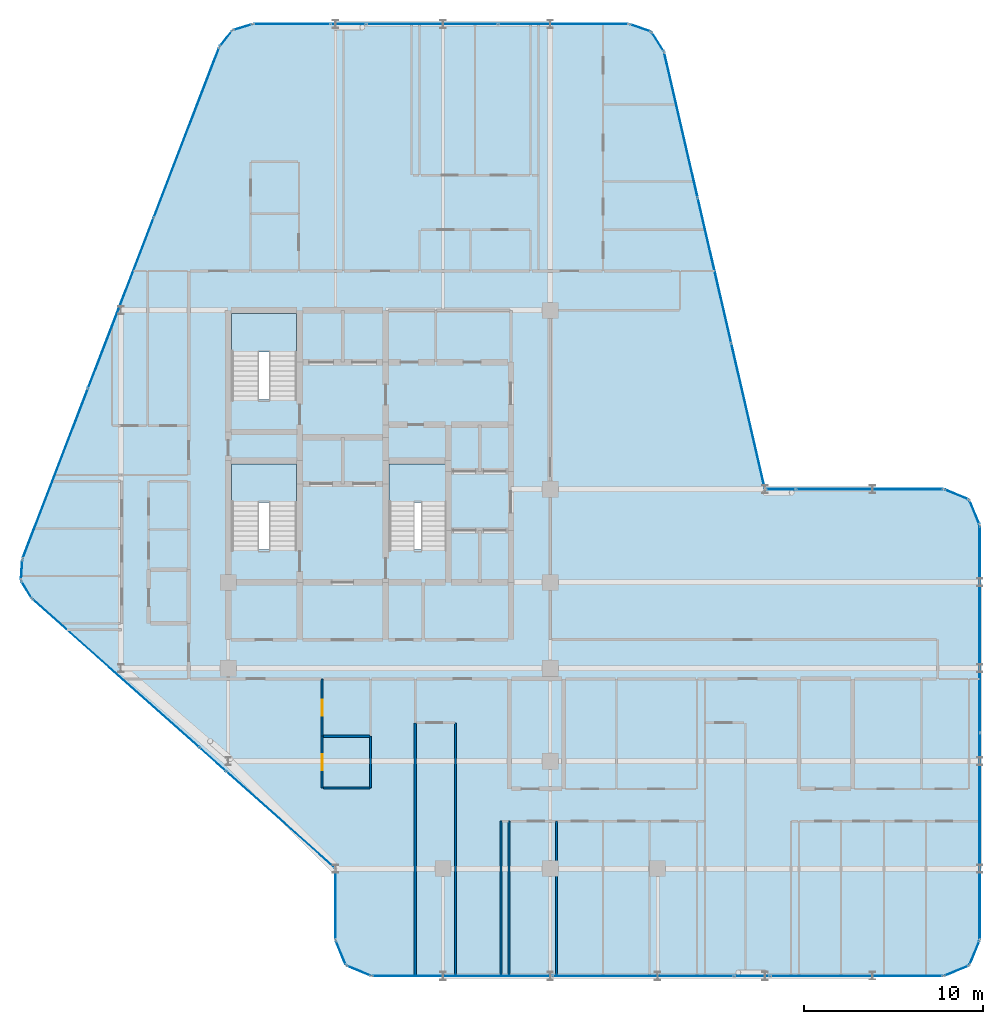
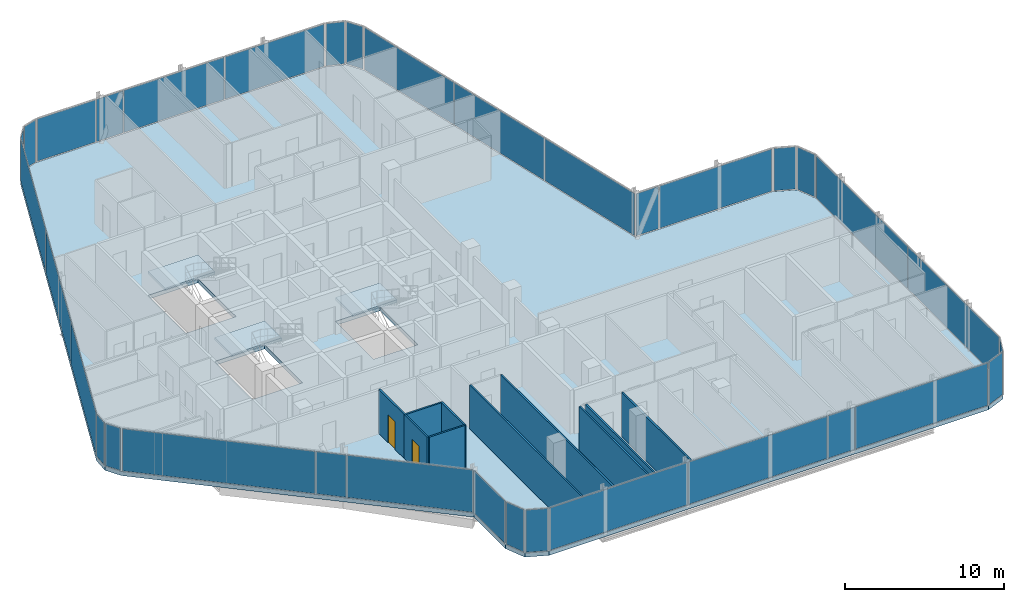
# One storey, part 22 of 29: 34 plates, 10 walls, 4 slabs, 2 doors, 2 openings, 30 elements without a shape of their own.
"""IFC4 building model written with IfcOpenShell, lengths in metres."""

from ifc_helpers import new_model, si_unit, direction, frame, frame_2d, origin, origin_2d, place, context, subcontext, project, spatial, polyline, rectangle, outline, extrude, material, layer, layer_set, type_object, element, fill, aggregate, save


model = new_model("IFC4")

# Units and contexts
model_context = context("Model", 3, precision=1e-05, world=origin(), true_north=direction((0.0, 1.0)))
body_context = subcontext(model_context, "Body", "Model", "MODEL_VIEW")
ifc_project = project(units=[si_unit("LENGTHUNIT", "METRE"), si_unit("AREAUNIT", "SQUARE_METRE"), si_unit("VOLUMEUNIT", "CUBIC_METRE"), si_unit("PLANEANGLEUNIT", "RADIAN"), si_unit("MASSUNIT", "GRAM", prefix="KILO")], contexts=[model_context])

# Site, building, storey
site_placement = place(None, origin())
site = spatial("IfcSite", under=ifc_project, at=site_placement, CompositionType="ELEMENT")
building_placement = place(site_placement, origin())
building = spatial("IfcBuilding", under=site, at=building_placement, Name="Keshet Zoharim Tower", CompositionType="ELEMENT")
storey_placement = place(building_placement, frame((0.0, 0.0, 176.5)))
storey = spatial("IfcBuildingStorey", under=building, at=storey_placement, Name="L43", CompositionType="ELEMENT", Elevation=176.5)

# Curtain wall, plate
ifc_material_1 = material(Name="Aluminium 6063-T6", Category="aluminium")
ifc_layer_1 = layer(ifc_material_1, 0.139892578125)
ifc_layer_set_1 = layer_set([ifc_layer_1], Name="Aluminium 6063-T6")
curtain_wall_type = type_object("IfcCurtainWallType", Name="CW-SYS-05", PredefinedType="NOTDEFINED", material=ifc_layer_set_1)
curtain_wall_1_placement = place(storey_placement, origin())
curtain_wall_1 = element("IfcCurtainWall", 1, at=curtain_wall_1_placement, inside=storey, type_object=curtain_wall_type, Name="L43 Unitised Curtain Wall 01", PredefinedType="NOTDEFINED")
ifc_material_2 = material(Name="Insulated Low-E Clear Glass", Category="glass")
ifc_layer_2 = layer(ifc_material_2, 0.031982421875)
ifc_layer_set_2 = layer_set([ifc_layer_2], Name="Insulated Low-E Clear Glass")
plate_type_1 = type_object("IfcPlateType", Name="CWP-02", PredefinedType="CURTAIN_PANEL", material=ifc_layer_set_2)
plate_1_placement = place(storey_placement, frame((55.70703125, 27.60693359375, 0.070068359375), z_axis=(0.0, 0.0, 1.0), x_axis=(0.92380975372, -0.382851849847, 0.0)))
plate_1 = element("IfcPlate", 2, at=plate_1_placement, type_object=plate_type_1, Name="CW-05 panel 1.1", PredefinedType="CURTAIN_PANEL", context=body_context, shape_type="SweptSolid", body=[
    extrude(rectangle(XDim=1.390625, YDim=0.031982421875, at=origin_2d()), origin(), (0.0, 0.0, 1.0), 3.25),
])
aggregate(curtain_wall_1, [plate_1])

curtain_wall_2_placement = place(storey_placement, origin())
curtain_wall_2 = element("IfcCurtainWall", 3, at=curtain_wall_2_placement, inside=storey, type_object=curtain_wall_type, Name="L43 Unitised Curtain Wall 02", PredefinedType="NOTDEFINED")
plate_2_placement = place(storey_placement, frame((56.70703125, 26.60693359375, 0.070068359375), z_axis=(0.0, 0.0, 1.0), x_axis=(0.382851849847, -0.92380975372, 0.0)))
plate_2 = element("IfcPlate", 4, at=plate_2_placement, type_object=plate_type_1, Name="CW-05 panel 1.1", PredefinedType="CURTAIN_PANEL", context=body_context, shape_type="SweptSolid", body=[
    extrude(rectangle(XDim=1.390625, YDim=0.031982421875, at=origin_2d()), origin(), (0.0, 0.0, 1.0), 3.25),
])
aggregate(curtain_wall_2, [plate_2])

# Curtain wall, plates
curtain_wall_3_placement = place(storey_placement, origin())
curtain_wall_3 = element("IfcCurtainWall", 5, at=curtain_wall_3_placement, inside=storey, type_object=curtain_wall_type, Name="L43 Unitised Curtain Wall 03", PredefinedType="NOTDEFINED")
plate_3_placement = place(storey_placement, frame((57.0, 20.08251953125, 0.070068359375), z_axis=(0.0, 0.0, 1.0), x_axis=(0.0, -1.0, 0.0)))
plate_3 = element("IfcPlate", 6, at=plate_3_placement, type_object=plate_type_1, Name="CW-05 panel 1.1", PredefinedType="CURTAIN_PANEL", context=body_context, shape_type="SweptSolid", body=[
    extrude(rectangle(XDim=11.4951171875, YDim=0.031982421875, at=origin_2d()), origin(), (0.0, 0.0, 1.0), 3.25),
])
plate_4_placement = place(storey_placement, frame((57.0, 8.517578125, 0.070068359375), z_axis=(0.0, 0.0, 1.0), x_axis=(0.0, -1.0, 0.0)))
plate_4 = element("IfcPlate", 7, at=plate_4_placement, type_object=plate_type_1, Name="CW-05 panel 2.1", PredefinedType="CURTAIN_PANEL", context=body_context, shape_type="SweptSolid", body=[
    extrude(rectangle(XDim=11.4951171875, YDim=0.031982421875, at=origin_2d()), origin(), (0.0, 0.0, 1.0), 3.25),
])
aggregate(curtain_wall_3, [plate_3, plate_4])

# Curtain wall, plate
curtain_wall_4_placement = place(storey_placement, origin())
curtain_wall_4 = element("IfcCurtainWall", 8, at=curtain_wall_4_placement, inside=storey, type_object=curtain_wall_type, Name="L43 Unitised Curtain Wall 04", PredefinedType="NOTDEFINED")
plate_5_placement = place(storey_placement, frame((56.70703125, 1.992919921875, 0.070068359375), z_axis=(0.0, 0.0, 1.0), x_axis=(-0.382851849847, -0.92380975372, 0.0)))
plate_5 = element("IfcPlate", 9, at=plate_5_placement, type_object=plate_type_1, Name="CW-05 panel 1.1", PredefinedType="CURTAIN_PANEL", context=body_context, shape_type="SweptSolid", body=[
    extrude(rectangle(XDim=1.390625, YDim=0.031982421875, at=origin_2d()), origin(), (0.0, 0.0, 1.0), 3.25),
])
aggregate(curtain_wall_4, [plate_5])

curtain_wall_5_placement = place(storey_placement, origin())
curtain_wall_5 = element("IfcCurtainWall", 10, at=curtain_wall_5_placement, inside=storey, type_object=curtain_wall_type, Name="L43 Unitised Curtain Wall 05", PredefinedType="NOTDEFINED")
plate_6_placement = place(storey_placement, frame((55.70703125, 0.992919921875, 0.070068359375), z_axis=(0.0, 0.0, 1.0), x_axis=(-0.92380975372, -0.382851849847, 0.0)))
plate_6 = element("IfcPlate", 11, at=plate_6_placement, type_object=plate_type_1, Name="CW-05 panel 1.1", PredefinedType="CURTAIN_PANEL", context=body_context, shape_type="SweptSolid", body=[
    extrude(rectangle(XDim=1.390625, YDim=0.031982421875, at=origin_2d()), origin(), (0.0, 0.0, 1.0), 3.25),
])
aggregate(curtain_wall_5, [plate_6])

curtain_wall_6_placement = place(storey_placement, origin())
curtain_wall_6 = element("IfcCurtainWall", 12, at=curtain_wall_6_placement, inside=storey, type_object=curtain_wall_type, Name="L43 Unitised Curtain Wall 06", PredefinedType="NOTDEFINED")
plate_7_placement = place(storey_placement, frame((50.1240234375, 0.699951171875, 0.070068359375), z_axis=(0.0, 0.0, 1.0), x_axis=(-1.0, 0.0, 0.0)))
plate_7 = element("IfcPlate", 13, at=plate_7_placement, type_object=plate_type_1, Name="CW-05 panel 1.1", PredefinedType="CURTAIN_PANEL", context=body_context, shape_type="SweptSolid", body=[
    extrude(rectangle(XDim=9.61181640625, YDim=0.031982421875, at=origin_2d()), origin(), (0.0, 0.0, 1.0), 3.25),
])
aggregate(curtain_wall_6, [plate_7])

# Curtain wall, plates
curtain_wall_7_placement = place(storey_placement, origin())
curtain_wall_7 = element("IfcCurtainWall", 14, at=curtain_wall_7_placement, inside=storey, type_object=curtain_wall_type, Name="L43 Unitised Curtain Wall 06 Part 3", PredefinedType="NOTDEFINED")
plate_8_placement = place(storey_placement, frame((38.20654296875, 0.699951171875, 0.070068359375), z_axis=(0.0, 0.0, 1.0), x_axis=(-1.0, 0.0, 0.0)))
plate_8 = element("IfcPlate", 15, at=plate_8_placement, type_object=plate_type_1, Name="CW-05 panel 1.1", PredefinedType="CURTAIN_PANEL", context=body_context, shape_type="SweptSolid", body=[
    extrude(rectangle(XDim=10.091064453125, YDim=0.031982421875, at=origin_2d()), origin(), (0.0, 0.0, 1.0), 3.25),
])
plate_9_placement = place(storey_placement, frame((28.08056640625, 0.699951171875, 0.070068359375), z_axis=(0.0, 0.0, 1.0), x_axis=(-1.0, 0.0, 0.0)))
plate_9 = element("IfcPlate", 16, at=plate_9_placement, type_object=plate_type_1, Name="CW-05 panel 2.1", PredefinedType="CURTAIN_PANEL", context=body_context, shape_type="SweptSolid", body=[
    extrude(rectangle(XDim=10.02099609375, YDim=0.031982421875, at=origin_2d()), origin(), (0.0, 0.0, 1.0), 3.25),
])
aggregate(curtain_wall_7, [plate_8, plate_9])

# Curtain wall, plate
curtain_wall_8_placement = place(storey_placement, origin())
curtain_wall_8 = element("IfcCurtainWall", 17, at=curtain_wall_8_placement, inside=storey, type_object=curtain_wall_type, Name="L43 Unitised Curtain Wall 07", PredefinedType="NOTDEFINED")
plate_10_placement = place(storey_placement, frame((22.29296875, 0.992919921875, 0.070068359375), z_axis=(0.0, 0.0, 1.0), x_axis=(-0.92380975372, 0.382851849847, 0.0)))
plate_10 = element("IfcPlate", 18, at=plate_10_placement, type_object=plate_type_1, Name="CW-05 panel 1.1", PredefinedType="CURTAIN_PANEL", context=body_context, shape_type="SweptSolid", body=[
    extrude(rectangle(XDim=1.390625, YDim=0.031982421875, at=origin_2d()), origin(), (0.0, 0.0, 1.0), 3.25),
])
aggregate(curtain_wall_8, [plate_10])

curtain_wall_9_placement = place(storey_placement, origin())
curtain_wall_9 = element("IfcCurtainWall", 19, at=curtain_wall_9_placement, inside=storey, type_object=curtain_wall_type, Name="L43 Unitised Curtain Wall 08", PredefinedType="NOTDEFINED")
plate_11_placement = place(storey_placement, frame((21.29296875, 1.992919921875, 0.070068359375), z_axis=(0.0, 0.0, 1.0), x_axis=(-0.382851849847, 0.92380975372, 0.0)))
plate_11 = element("IfcPlate", 20, at=plate_11_placement, type_object=plate_type_1, Name="CW-05 panel 1.1", PredefinedType="CURTAIN_PANEL", context=body_context, shape_type="SweptSolid", body=[
    extrude(rectangle(XDim=1.390625, YDim=0.031982421875, at=origin_2d()), origin(), (0.0, 0.0, 1.0), 3.25),
])
aggregate(curtain_wall_9, [plate_11])

curtain_wall_10_placement = place(storey_placement, origin())
curtain_wall_10 = element("IfcCurtainWall", 21, at=curtain_wall_10_placement, inside=storey, type_object=curtain_wall_type, Name="L43 Unitised Curtain Wall 09", PredefinedType="NOTDEFINED")
plate_12_placement = place(storey_placement, frame((21.0, 4.699951171875, 0.070068359375), z_axis=(0.0, 0.0, 1.0), x_axis=(0.0, 1.0, 0.0)))
plate_12 = element("IfcPlate", 22, at=plate_12_placement, type_object=plate_type_1, Name="CW-05 panel 1.1", PredefinedType="CURTAIN_PANEL", context=body_context, shape_type="SweptSolid", body=[
    extrude(rectangle(XDim=3.860107421875, YDim=0.031982421875, at=origin_2d()), origin(), (0.0, 0.0, 1.0), 3.25),
])
aggregate(curtain_wall_10, [plate_12])

curtain_wall_11_placement = place(storey_placement, origin())
curtain_wall_11 = element("IfcCurtainWall", 23, at=curtain_wall_11_placement, inside=storey, type_object=curtain_wall_type, Name="L43 Unitised Curtain Wall 10", PredefinedType="NOTDEFINED")
plate_13_placement = place(storey_placement, frame((17.92724609375, 9.431396484375, 0.070068359375), z_axis=(0.0, 0.0, 1.0), x_axis=(-0.74740596379, 0.664367613066, 0.0)))
plate_13 = element("IfcPlate", 24, at=plate_13_placement, type_object=plate_type_1, Name="CW-05 panel 1.1", PredefinedType="CURTAIN_PANEL", context=body_context, shape_type="SweptSolid", body=[
    extrude(rectangle(XDim=8.082763671875, YDim=0.031982421875, at=origin_2d()), origin(), (0.0, 0.0, 1.0), 3.25),
])
aggregate(curtain_wall_11, [plate_13])

curtain_wall_12_placement = place(storey_placement, origin())
curtain_wall_12 = element("IfcCurtainWall", 25, at=curtain_wall_12_placement, inside=storey, type_object=curtain_wall_type, Name="L43 Unitised Curtain Wall 10 Part 3", PredefinedType="NOTDEFINED")
plate_14_placement = place(storey_placement, frame((8.724853515625, 17.611328125, 0.070068359375), z_axis=(0.0, 0.0, 1.0), x_axis=(-0.747406666066, 0.664366823013, 0.0)))
plate_14 = element("IfcPlate", 26, at=plate_14_placement, type_object=plate_type_1, Name="CW-05 panel 1.1", PredefinedType="CURTAIN_PANEL", context=body_context, shape_type="SweptSolid", body=[
    extrude(rectangle(XDim=12.40966796875, YDim=0.031982421875, at=origin_2d()), origin(), (0.0, 0.0, 1.0), 3.25),
])
aggregate(curtain_wall_12, [plate_14])

curtain_wall_13_placement = place(storey_placement, origin())
curtain_wall_13 = element("IfcCurtainWall", 27, at=curtain_wall_13_placement, inside=storey, type_object=curtain_wall_type, Name="L43 Unitised Curtain Wall 11", PredefinedType="NOTDEFINED")
plate_15_placement = place(storey_placement, frame((3.7275390625, 22.291015625, 0.070068359375), z_axis=(0.0, 0.0, 1.0), x_axis=(-0.515604947933, 0.856826433805, 0.0)))
plate_15 = element("IfcPlate", 28, at=plate_15_placement, type_object=plate_type_1, Name="CW-05 panel 1.1", PredefinedType="CURTAIN_PANEL", context=body_context, shape_type="SweptSolid", body=[
    extrude(rectangle(XDim=1.052734375, YDim=0.031982421875, at=origin_2d()), origin(), (0.0, 0.0, 1.0), 3.25),
])
aggregate(curtain_wall_13, [plate_15])

curtain_wall_14_placement = place(storey_placement, origin())
curtain_wall_14 = element("IfcCurtainWall", 29, at=curtain_wall_14_placement, inside=storey, type_object=curtain_wall_type, Name="L43 Unitised Curtain Wall 12", PredefinedType="NOTDEFINED")
plate_16_placement = place(storey_placement, frame((3.45849609375, 23.3974609375, 0.070068359375), z_axis=(0.0, 0.0, 1.0), x_axis=(0.064516859374, 0.997916617186, 0.0)))
plate_16 = element("IfcPlate", 30, at=plate_16_placement, type_object=plate_type_1, Name="CW-05 panel 1.1", PredefinedType="CURTAIN_PANEL", context=body_context, shape_type="SweptSolid", body=[
    extrude(rectangle(XDim=1.053466796875, YDim=0.031982421875, at=origin_2d()), origin(), (0.0, 0.0, 1.0), 3.25),
])
aggregate(curtain_wall_14, [plate_16])

# Curtain wall, plates
curtain_wall_15_placement = place(storey_placement, origin())
curtain_wall_15 = element("IfcCurtainWall", 31, at=curtain_wall_15_placement, inside=storey, type_object=curtain_wall_type, Name="L43 Unitised Curtain Wall 13", PredefinedType="NOTDEFINED")
plate_17_placement = place(storey_placement, frame((5.33837890625, 28.7802734375, 0.070068359375), z_axis=(0.0, 0.0, 1.0), x_axis=(0.358990003907, 0.933341404361, 0.0)))
plate_17 = element("IfcPlate", 32, at=plate_17_placement, type_object=plate_type_1, Name="CW-05 panel 1.1", PredefinedType="CURTAIN_PANEL", context=body_context, shape_type="SweptSolid", body=[
    extrude(rectangle(XDim=10.1181640625, YDim=0.031982421875, at=origin_2d()), origin(), (0.0, 0.0, 1.0), 3.25),
])
plate_18_placement = place(storey_placement, frame((9.001953125, 38.305419921875, 0.070068359375), z_axis=(0.0, 0.0, 1.0), x_axis=(0.358990003907, 0.933341404361, 0.0)))
plate_18 = element("IfcPlate", 33, at=plate_18_placement, type_object=plate_type_1, Name="CW-05 panel 2.1", PredefinedType="CURTAIN_PANEL", context=body_context, shape_type="SweptSolid", body=[
    extrude(rectangle(XDim=10.153076171875, YDim=0.031982421875, at=origin_2d()), origin(), (0.0, 0.0, 1.0), 3.25),
])
plate_19_placement = place(storey_placement, frame((12.665771484375, 47.830810546875, 0.070068359375), z_axis=(0.0, 0.0, 1.0), x_axis=(0.358990003907, 0.933341404361, 0.0)))
plate_19 = element("IfcPlate", 34, at=plate_19_placement, type_object=plate_type_1, Name="CW-05 panel 3.1", PredefinedType="CURTAIN_PANEL", context=body_context, shape_type="SweptSolid", body=[
    extrude(rectangle(XDim=10.1181640625, YDim=0.031982421875, at=origin_2d()), origin(), (0.0, 0.0, 1.0), 3.25),
])
aggregate(curtain_wall_15, [plate_17, plate_18, plate_19])

# Curtain wall, plate
curtain_wall_16_placement = place(storey_placement, origin())
curtain_wall_16 = element("IfcCurtainWall", 35, at=curtain_wall_16_placement, inside=storey, type_object=curtain_wall_type, Name="L43 Unitised Curtain Wall 14", PredefinedType="NOTDEFINED")
plate_20_placement = place(storey_placement, frame((14.8740234375, 53.08349609375, 0.070068359375), z_axis=(0.0, 0.0, 1.0), x_axis=(0.619124525989, 0.785292825205, 0.0)))
plate_20 = element("IfcPlate", 36, at=plate_20_placement, type_object=plate_type_1, Name="CW-05 panel 1.1", PredefinedType="CURTAIN_PANEL", context=body_context, shape_type="SweptSolid", body=[
    extrude(rectangle(XDim=1.045654296875, YDim=0.031982421875, at=origin_2d()), origin(), (0.0, 0.0, 1.0), 3.25),
])
aggregate(curtain_wall_16, [plate_20])

curtain_wall_17_placement = place(storey_placement, origin())
curtain_wall_17 = element("IfcCurtainWall", 37, at=curtain_wall_17_placement, inside=storey, type_object=curtain_wall_type, Name="L43 Unitised Curtain Wall 15", PredefinedType="NOTDEFINED")
plate_21_placement = place(storey_placement, frame((15.8076171875, 53.724609375, 0.070068359375), z_axis=(0.0, 0.0, 1.0), x_axis=(0.955212151288, 0.295921857984, 0.0)))
plate_21 = element("IfcPlate", 38, at=plate_21_placement, type_object=plate_type_1, Name="CW-05 panel 1.1", PredefinedType="CURTAIN_PANEL", context=body_context, shape_type="SweptSolid", body=[
    extrude(rectangle(XDim=1.046142578125, YDim=0.031982421875, at=origin_2d()), origin(), (0.0, 0.0, 1.0), 3.25),
])
aggregate(curtain_wall_17, [plate_21])

curtain_wall_18_placement = place(storey_placement, origin())
curtain_wall_18 = element("IfcCurtainWall", 39, at=curtain_wall_18_placement, inside=storey, type_object=curtain_wall_type, Name="L43 Unitised Curtain Wall 16", PredefinedType="NOTDEFINED")
plate_22_placement = place(storey_placement, frame((18.56298828125, 53.89990234375, 0.070068359375), z_axis=(0.0, 0.0, 1.0), x_axis=(1.0, 0.0, 0.0)))
plate_22 = element("IfcPlate", 40, at=plate_22_placement, type_object=plate_type_1, Name="CW-05 panel 1.1", PredefinedType="CURTAIN_PANEL", context=body_context, shape_type="SweptSolid", body=[
    extrude(rectangle(XDim=4.23779296875, YDim=0.031982421875, at=origin_2d()), origin(), (0.0, 0.0, 1.0), 3.25),
])
aggregate(curtain_wall_18, [plate_22])

# Curtain wall, plates
curtain_wall_19_placement = place(storey_placement, origin())
curtain_wall_19 = element("IfcCurtainWall", 41, at=curtain_wall_19_placement, inside=storey, type_object=curtain_wall_type, Name="L43 Unitised Curtain Wall 16 Part 3", PredefinedType="NOTDEFINED")
plate_23_placement = place(storey_placement, frame((26.395751953125, 53.89990234375, 0.070068359375), z_axis=(0.0, 0.0, 1.0), x_axis=(1.0, 0.0, 0.0)))
plate_23 = element("IfcPlate", 42, at=plate_23_placement, type_object=plate_type_1, Name="CW-05 panel 1.1", PredefinedType="CURTAIN_PANEL", context=body_context, shape_type="SweptSolid", body=[
    extrude(rectangle(XDim=7.29541015625, YDim=0.031982421875, at=origin_2d()), origin(), (0.0, 0.0, 1.0), 3.25),
])
plate_24_placement = place(storey_placement, frame((33.726318359375, 53.89990234375, 0.070068359375), z_axis=(0.0, 0.0, 1.0), x_axis=(1.0, 0.0, 0.0)))
plate_24 = element("IfcPlate", 43, at=plate_24_placement, type_object=plate_type_1, Name="CW-05 panel 2.1", PredefinedType="CURTAIN_PANEL", context=body_context, shape_type="SweptSolid", body=[
    extrude(rectangle(XDim=7.225341796875, YDim=0.031982421875, at=origin_2d()), origin(), (0.0, 0.0, 1.0), 3.25),
])
aggregate(curtain_wall_19, [plate_23, plate_24])

# Curtain wall, plate
curtain_wall_20_placement = place(storey_placement, origin())
curtain_wall_20 = element("IfcCurtainWall", 44, at=curtain_wall_20_placement, inside=storey, type_object=curtain_wall_type, Name="L43 Unitised Curtain Wall 17", PredefinedType="NOTDEFINED")
plate_25_placement = place(storey_placement, frame((38.031494140625, 53.6826171875, 0.070068359375), z_axis=(0.0, 0.0, 1.0), x_axis=(0.944035542119, -0.329843743636, 0.0)))
plate_25 = element("IfcPlate", 45, at=plate_25_placement, type_object=plate_type_1, Name="CW-05 panel 1.1", PredefinedType="CURTAIN_PANEL", context=body_context, shape_type="SweptSolid", body=[
    extrude(rectangle(XDim=1.1787109375, YDim=0.031982421875, at=origin_2d()), origin(), (0.0, 0.0, 1.0), 3.25),
])
aggregate(curtain_wall_20, [plate_25])

curtain_wall_21_placement = place(storey_placement, origin())
curtain_wall_21 = element("IfcCurtainWall", 46, at=curtain_wall_21_placement, inside=storey, type_object=curtain_wall_type, Name="L43 Unitised Curtain Wall 18", PredefinedType="NOTDEFINED")
plate_26_placement = place(storey_placement, frame((39.006103515625, 52.907470703125, 0.070068359375), z_axis=(0.0, 0.0, 1.0), x_axis=(0.533878858502, -0.845560976183, 0.0)))
plate_26 = element("IfcPlate", 47, at=plate_26_placement, type_object=plate_type_1, Name="CW-05 panel 1.1", PredefinedType="CURTAIN_PANEL", context=body_context, shape_type="SweptSolid", body=[
    extrude(rectangle(XDim=1.1787109375, YDim=0.031982421875, at=origin_2d()), origin(), (0.0, 0.0, 1.0), 3.25),
])
aggregate(curtain_wall_21, [plate_26])

# Curtain wall, plates
curtain_wall_22_placement = place(storey_placement, origin())
curtain_wall_22 = element("IfcCurtainWall", 48, at=curtain_wall_22_placement, inside=storey, type_object=curtain_wall_type, Name="L43 Unitised Curtain Wall 19", PredefinedType="NOTDEFINED")
plate_27_placement = place(storey_placement, frame((40.30224609375, 48.258056640625, 0.070068359375), z_axis=(0.0, 0.0, 1.0), x_axis=(0.224847864369, -0.974393882313, 0.0)))
plate_27 = element("IfcPlate", 49, at=plate_27_placement, type_object=plate_type_1, Name="CW-05 panel 1.1", PredefinedType="CURTAIN_PANEL", context=body_context, shape_type="SweptSolid", body=[
    extrude(rectangle(XDim=8.25927734375, YDim=0.031982421875, at=origin_2d()), origin(), (0.0, 0.0, 1.0), 3.25),
])
plate_28_placement = place(storey_placement, frame((42.178955078125, 40.125, 0.070068359375), z_axis=(0.0, 0.0, 1.0), x_axis=(0.224847864369, -0.974393882313, 0.0)))
plate_28 = element("IfcPlate", 50, at=plate_28_placement, type_object=plate_type_1, Name="CW-05 panel 2.1", PredefinedType="CURTAIN_PANEL", context=body_context, shape_type="SweptSolid", body=[
    extrude(rectangle(XDim=8.294189453125, YDim=0.031982421875, at=origin_2d()), origin(), (0.0, 0.0, 1.0), 3.25),
])
plate_29_placement = place(storey_placement, frame((44.0556640625, 31.991943359375, 0.070068359375), z_axis=(0.0, 0.0, 1.0), x_axis=(0.224847864369, -0.974393882313, 0.0)))
plate_29 = element("IfcPlate", 51, at=plate_29_placement, type_object=plate_type_1, Name="CW-05 panel 3.1", PredefinedType="CURTAIN_PANEL", context=body_context, shape_type="SweptSolid", body=[
    extrude(rectangle(XDim=8.25927734375, YDim=0.031982421875, at=origin_2d()), origin(), (0.0, 0.0, 1.0), 3.25),
])
aggregate(curtain_wall_22, [plate_27, plate_28, plate_29])

# Curtain wall, plate
curtain_wall_23_placement = place(storey_placement, origin())
curtain_wall_23 = element("IfcCurtainWall", 52, at=curtain_wall_23_placement, inside=storey, type_object=curtain_wall_type, Name="L43 Unitised Curtain Wall 20 Part 2", PredefinedType="NOTDEFINED")
plate_30_placement = place(storey_placement, frame((50.839111328125, 27.89990234375, 0.070068359375), z_axis=(0.0, 0.0, 1.0), x_axis=(1.0, 0.0, 0.0)))
plate_30 = element("IfcPlate", 53, at=plate_30_placement, type_object=plate_type_1, Name="CW-05 panel 1.1", PredefinedType="CURTAIN_PANEL", context=body_context, shape_type="SweptSolid", body=[
    extrude(rectangle(XDim=8.181884765625, YDim=0.031982421875, at=origin_2d()), origin(), (0.0, 0.0, 1.0), 3.25),
])
aggregate(curtain_wall_23, [plate_30])

curtain_wall_24_placement = place(storey_placement, origin())
curtain_wall_24 = element("IfcCurtainWall", 54, at=curtain_wall_24_placement, inside=storey, type_object=curtain_wall_type, Name="L43 Unitised Curtain Wall 06 Part 2", PredefinedType="NOTDEFINED")
ifc_material_3 = material(Name="Insulated Aluminium Spandrel Panel", Category="aluminium")
ifc_layer_3 = layer(ifc_material_3, 0.031982421875)
ifc_layer_set_3 = layer_set([ifc_layer_3], Name="Insulated Aluminium Spandrel Panel")
plate_type_2 = type_object("IfcPlateType", Name="CWP-05", PredefinedType="CURTAIN_PANEL", material=ifc_layer_set_3)
plate_31_placement = place(storey_placement, frame((44.284912109375, 0.699951171875, 0.070068359375), z_axis=(0.0, 0.0, 1.0), x_axis=(-1.0, 0.0, 0.0)))
plate_31 = element("IfcPlate", 55, at=plate_31_placement, type_object=plate_type_2, Name="CW-05 spandrel panel 1.1", PredefinedType="CURTAIN_PANEL", context=body_context, shape_type="SweptSolid", body=[
    extrude(rectangle(XDim=1.92626953125, YDim=0.031982421875, at=origin_2d()), origin(), (0.0, 0.0, 1.0), 3.25),
])
aggregate(curtain_wall_24, [plate_31])

curtain_wall_25_placement = place(storey_placement, origin())
curtain_wall_25 = element("IfcCurtainWall", 56, at=curtain_wall_25_placement, inside=storey, type_object=curtain_wall_type, Name="L43 Unitised Curtain Wall 10 Part 2", PredefinedType="NOTDEFINED")
plate_32_placement = place(storey_placement, frame((14.134521484375, 12.802734375, 0.070068359375), z_axis=(0.0, 0.0, 1.0), x_axis=(-0.747439721297, 0.664329634314, 0.0)))
plate_32 = element("IfcPlate", 57, at=plate_32_placement, type_object=plate_type_2, Name="CW-05 spandrel panel 1.1", PredefinedType="CURTAIN_PANEL", context=body_context, shape_type="SweptSolid", body=[
    extrude(rectangle(XDim=1.92626953125, YDim=0.031982421875, at=origin_2d()), origin(), (0.0, 0.0, 1.0), 3.25),
])
aggregate(curtain_wall_25, [plate_32])

curtain_wall_26_placement = place(storey_placement, origin())
curtain_wall_26 = element("IfcCurtainWall", 58, at=curtain_wall_26_placement, inside=storey, type_object=curtain_wall_type, Name="L43 Unitised Curtain Wall 16 Part 2", PredefinedType="NOTDEFINED")
plate_33_placement = place(storey_placement, frame((21.715087890625, 53.89990234375, 0.070068359375), z_axis=(0.0, 0.0, 1.0), x_axis=(1.0, 0.0, 0.0)))
plate_33 = element("IfcPlate", 59, at=plate_33_placement, type_object=plate_type_2, Name="CW-05 spandrel panel 1.1", PredefinedType="CURTAIN_PANEL", context=body_context, shape_type="SweptSolid", body=[
    extrude(rectangle(XDim=1.92626953125, YDim=0.031982421875, at=origin_2d()), origin(), (0.0, 0.0, 1.0), 3.25),
])
aggregate(curtain_wall_26, [plate_33])

curtain_wall_27_placement = place(storey_placement, origin())
curtain_wall_27 = element("IfcCurtainWall", 60, at=curtain_wall_27_placement, inside=storey, type_object=curtain_wall_type, Name="L43 Unitised Curtain Wall 20", PredefinedType="NOTDEFINED")
plate_34_placement = place(storey_placement, frame((45.8740234375, 27.89990234375, 0.070068359375), z_axis=(0.0, 0.0, 1.0), x_axis=(1.0, 0.0, 0.0)))
plate_34 = element("IfcPlate", 61, at=plate_34_placement, type_object=plate_type_2, Name="CW-05 spandrel panel 1.1", PredefinedType="CURTAIN_PANEL", context=body_context, shape_type="SweptSolid", body=[
    extrude(rectangle(XDim=1.608154296875, YDim=0.031982421875, at=origin_2d()), origin(), (0.0, 0.0, 1.0), 3.25),
])
aggregate(curtain_wall_27, [plate_34])

# Stair, slab
ifc_material_4 = material(Name="Concrete C50/60", Category="concrete")
stair_type = type_object("IfcStairType", Name="STR-EXIT-135", PredefinedType="HALF_TURN_STAIR", material=ifc_material_4)
stair_1_placement = place(storey_placement, origin())
stair_1 = element("IfcStair", 62, at=stair_1_placement, inside=storey, type_object=stair_type, Name="L43 Enclosed Exit Stair ST-01", PredefinedType="HALF_TURN_STAIR")
ifc_layer_4 = layer(ifc_material_4, 0.199951171875)
ifc_layer_set_4 = layer_set([ifc_layer_4], Name="Concrete C50/60")
slab_type_1 = type_object("IfcSlabType", Name="SLB-LND-200", PredefinedType="LANDING", material=ifc_layer_set_4)
slab_1_placement = place(storey_placement, frame((0.0, 0.0, 1.64990234375)))
slab_1 = element("IfcSlab", 63, at=slab_1_placement, type_object=slab_type_1, Name="ST-01 landing 1", PredefinedType="LANDING", context=body_context, shape_type="SweptSolid", body=[
    extrude(outline(polyline([(15.179931640625, 27.159912109375), (18.820068359375, 27.159912109375), (18.820068359375, 29.320068359375), (15.179931640625, 29.320068359375), (15.179931640625, 27.159912109375)])), origin(), (0.0, 0.0, 1.0), 0.2001953125),
])
aggregate(stair_1, [slab_1])

stair_2_placement = place(storey_placement, origin())
stair_2 = element("IfcStair", 64, at=stair_2_placement, inside=storey, type_object=stair_type, Name="L43 Enclosed Exit Stair ST-02", PredefinedType="HALF_TURN_STAIR")
slab_2_placement = place(storey_placement, frame((0.0, 0.0, 1.64990234375)))
slab_2 = element("IfcSlab", 65, at=slab_2_placement, type_object=slab_type_1, Name="ST-02 landing 1", PredefinedType="LANDING", context=body_context, shape_type="SweptSolid", body=[
    extrude(outline(polyline([(15.179931640625, 35.56005859375), (18.820068359375, 35.56005859375), (18.820068359375, 37.719970703125), (15.179931640625, 37.719970703125), (15.179931640625, 35.56005859375)])), origin(), (0.0, 0.0, 1.0), 0.2001953125),
])
aggregate(stair_2, [slab_2])

stair_3_placement = place(storey_placement, origin())
stair_3 = element("IfcStair", 66, at=stair_3_placement, inside=storey, type_object=stair_type, Name="L43 Enclosed Exit Stair ST-03", PredefinedType="HALF_TURN_STAIR")
slab_3_placement = place(storey_placement, frame((0.0, 0.0, 1.64990234375)))
slab_3 = element("IfcSlab", 67, at=slab_3_placement, type_object=slab_type_1, Name="ST-03 landing 1", PredefinedType="LANDING", context=body_context, shape_type="SweptSolid", body=[
    extrude(outline(polyline([(23.97998046875, 27.159912109375), (27.219970703125, 27.159912109375), (27.219970703125, 29.320068359375), (23.97998046875, 29.320068359375), (23.97998046875, 27.159912109375)])), origin(), (0.0, 0.0, 1.0), 0.2001953125),
])
aggregate(stair_3, [slab_3])

# Slab
ifc_layer_5 = layer(ifc_material_4, 0.31005859375)
ifc_layer_set_5 = layer_set([ifc_layer_5], Name="Concrete C50/60")
slab_type_2 = type_object("IfcSlabType", Name="SLB-UPP-240", PredefinedType="FLOOR", material=ifc_layer_set_5)
slab_4_placement = place(storey_placement, frame((0.0, 0.0, -0.31005859375)))
element("IfcSlab", 68, at=slab_4_placement, inside=storey, type_object=slab_type_2, Name="L43 Structural Floor Slab 1", PredefinedType="FLOOR", context=body_context, shape_type="SweptSolid", body=[
    extrude(outline(polyline([(55.0, 27.89990234375), (56.4140625, 27.31396484375), (57.0, 25.89990234375), (57.0, 2.699951171875), (56.4140625, 1.285888671875), (55.0, 0.699951171875), (23.0, 0.699951171875), (21.5859375, 1.285888671875), (21.0, 2.699951171875), (21.0, 6.699951171875), (4.034912109375, 21.780029296875), (3.419921875, 22.802001953125), (3.4970703125, 23.992919921875), (14.507080078125, 52.617919921875), (15.240966796875, 53.549072265625), (16.3740234375, 53.89990234375), (37.408935546875, 53.89990234375), (38.654052734375, 53.465087890625), (39.35791015625, 52.35009765625), (45.0, 27.89990234375), (55.0, 27.89990234375)]), holes=[polyline([(15.179931640625, 24.52001953125), (18.820068359375, 24.52001953125), (18.820068359375, 29.320068359375), (15.179931640625, 29.320068359375), (15.179931640625, 24.52001953125)]), polyline([(15.179931640625, 32.919921875), (18.820068359375, 32.919921875), (18.820068359375, 37.719970703125), (15.179931640625, 37.719970703125), (15.179931640625, 32.919921875)]), polyline([(23.97998046875, 24.52001953125), (27.219970703125, 24.52001953125), (27.219970703125, 29.320068359375), (23.97998046875, 29.320068359375), (23.97998046875, 24.52001953125)])]), origin(), (0.0, 0.0, 1.0), 0.31005859375),
])

# Wall, opening, door
ifc_material_5 = material(Name="Gypsum Plasterboard", Category="gypsum")
ifc_layer_6 = layer(ifc_material_5, 0.1201171875)
ifc_layer_set_6 = layer_set([ifc_layer_6], Name="Gypsum Plasterboard")
wall_type_1 = type_object("IfcWallType", Name="WL-PART-120", PredefinedType="PARTITIONING", material=ifc_layer_set_6)
wall_1_placement = place(storey_placement, frame((20.25, 14.10009765625, 0.0), z_axis=(0.0, 0.0, 1.0), x_axis=(0.0, 1.0, 0.0)))
wall_1 = element("IfcWall", 69, at=wall_1_placement, inside=storey, type_object=wall_type_1, Name="L43 Interior Wall 027", PredefinedType="PARTITIONING", context=body_context, shape_type="SweptSolid", body=[
    extrude(rectangle(XDim=3.199951171875, YDim=0.1201171875, at=frame_2d((1.60009765625, 0.0))), origin(), (0.0, 0.0, 1.0), 3.389892578125),
])
opening_1_placement = place(wall_1_placement, frame((1.14990234375, 0.0, 0.0)))
opening_1 = element("IfcOpeningElement", 70, at=opening_1_placement, cuts=wall_1, Name="Opening D-IN90", PredefinedType="OPENING", context=body_context, shape_type="SweptSolid", body=[
    extrude(rectangle(XDim=0.89990234375, YDim=2.14990234375, at=frame_2d((0.449951171875, 1.074951171875))), frame((0.0, 0.070068359375, 0.0), z_axis=(0.0, -1.0, 0.0), x_axis=(1.0, 0.0, 0.0)), (0.0, 0.0, 1.0), 0.14013671875),
])
ifc_material_6 = material(Name="Hardwood Timber", Category="wood")
door_type_1 = type_object("IfcDoorType", Name="DR-INT-090", OperationType="NOTDEFINED", PredefinedType="DOOR", material=ifc_material_6)
door_1_placement = place(opening_1_placement, origin())
door_1 = element("IfcDoor", 71, at=door_1_placement, inside=storey, type_object=door_type_1, Name="Apartment 4301 Kitchenette Door", OperationType="SINGLE_SWING_LEFT", OverallHeight=2.14990234375, OverallWidth=0.89990234375, PredefinedType="DOOR", context=body_context, shape_type="SweptSolid", body=[
    extrude(rectangle(XDim=0.89990234375, YDim=2.14990234375, at=frame_2d((0.449951171875, 1.074951171875))), frame((0.0, 0.02490234375, 0.0), z_axis=(0.0, -1.0, 0.0), x_axis=(1.0, 0.0, 0.0)), (0.0, 0.0, 1.0), 0.050048828125),
])
fill(opening_1, door_1)

# Walls
for number, where, z_axis, x_axis, name in (
    (72, (25.449951171875, 0.7099609375, 0.0), (0.0, 0.0, 1.0), (0.0, 1.0, 0.0), "L43 Interior Wall 041"),
    (73, (27.699951171875, 0.7099609375, 0.0), (0.0, 0.0, 1.0), (0.0, 1.0, 0.0), "L43 Interior Wall 051"),
):
    element("IfcWall", number, at=place(storey_placement, frame(where, z_axis=z_axis, x_axis=x_axis)), inside=storey, type_object=wall_type_1, Name=name, PredefinedType="PARTITIONING", context=body_context, shape_type="SweptSolid", body=[
        extrude(rectangle(XDim=14.14013671875, YDim=0.1201171875, at=frame_2d((7.070068359375, 0.0))), origin(), (0.0, 0.0, 1.0), 3.389892578125),
    ])
for number, where, z_axis, x_axis, name in (
    (74, (30.25, 0.7099609375, 0.0), (0.0, 0.0, 1.0), (0.0, 1.0, 0.0), "L43 Interior Wall 056"),
    (75, (30.699951171875, 0.7099609375, 0.0), (0.0, 0.0, 1.0), (0.0, 1.0, 0.0), "L43 Interior Wall 057"),
    (76, (33.35009765625, 0.7099609375, 0.0), (0.0, 0.0, 1.0), (0.0, 1.0, 0.0), "L43 Interior Wall 069"),
):
    element("IfcWall", number, at=place(storey_placement, frame(where, z_axis=z_axis, x_axis=x_axis)), inside=storey, type_object=wall_type_1, Name=name, PredefinedType="PARTITIONING", context=body_context, shape_type="SweptSolid", body=[
        extrude(rectangle(XDim=8.64013671875, YDim=0.1201171875, at=frame_2d((4.320068359375, 0.0))), origin(), (0.0, 0.0, 1.0), 3.389892578125),
    ])

# Wall, opening, door
ifc_layer_7 = layer(ifc_material_5, 0.1201171875)
ifc_layer_set_7 = layer_set([ifc_layer_7], Name="Gypsum Plasterboard")
wall_type_2 = type_object("IfcWallType", Name="WL-WET-120", PredefinedType="PARTITIONING", material=ifc_layer_set_7)
wall_2_placement = place(storey_placement, frame((20.25, 11.199951171875, 0.0), z_axis=(0.0, 0.0, 1.0), x_axis=(0.0, 1.0, 0.0)))
wall_2 = element("IfcWall", 77, at=wall_2_placement, inside=storey, type_object=wall_type_2, Name="L43 Interior Wall 026", PredefinedType="PARTITIONING", context=body_context, shape_type="SweptSolid", body=[
    extrude(rectangle(XDim=2.900146484375, YDim=0.1201171875, at=frame_2d((1.4501953125, 0.0))), origin(), (0.0, 0.0, 1.0), 3.389892578125),
])
opening_2_placement = place(wall_2_placement, frame((1.0, 0.0, 0.0)))
opening_2 = element("IfcOpeningElement", 78, at=opening_2_placement, cuts=wall_2, Name="Opening D-WT90", PredefinedType="OPENING", context=body_context, shape_type="SweptSolid", body=[
    extrude(rectangle(XDim=0.89990234375, YDim=2.10009765625, at=frame_2d((0.449951171875, 1.050048828125))), frame((0.0, 0.070068359375, 0.0), z_axis=(0.0, -1.0, 0.0), x_axis=(1.0, 0.0, 0.0)), (0.0, 0.0, 1.0), 0.14013671875),
])
door_type_2 = type_object("IfcDoorType", Name="DR-WET-090", OperationType="NOTDEFINED", PredefinedType="DOOR", material=ifc_material_6)
door_2_placement = place(opening_2_placement, origin())
door_2 = element("IfcDoor", 79, at=door_2_placement, inside=storey, type_object=door_type_2, Name="Apartment 4301 Bathroom Door", OperationType="SINGLE_SWING_RIGHT", OverallHeight=2.10009765625, OverallWidth=0.89990234375, PredefinedType="DOOR", context=body_context, shape_type="SweptSolid", body=[
    extrude(rectangle(XDim=0.89990234375, YDim=2.10009765625, at=frame_2d((0.449951171875, 1.050048828125))), frame((0.0, 0.02490234375, 0.0), z_axis=(0.0, -1.0, 0.0), x_axis=(1.0, 0.0, 0.0)), (0.0, 0.0, 1.0), 0.050048828125),
])
fill(opening_2, door_2)

# Walls
wall_3_placement = place(storey_placement, frame((22.949951171875, 11.199951171875, 0.0), z_axis=(0.0, 0.0, 1.0), x_axis=(0.0, 1.0, 0.0)))
element("IfcWall", 80, at=wall_3_placement, inside=storey, type_object=wall_type_2, Name="L43 Interior Wall 031", PredefinedType="PARTITIONING", context=body_context, shape_type="SweptSolid", body=[
    extrude(rectangle(XDim=2.900146484375, YDim=0.1201171875, at=frame_2d((1.4501953125, 0.0))), origin(), (0.0, 0.0, 1.0), 3.389892578125),
])
for number, where, z_axis, x_axis, name in (
    (81, (20.31494140625, 11.199951171875, 0.0), (0.0, 0.0, 1.0), (1.0, 0.0, 0.0), "L43 Interior Wall 105"),
    (82, (20.31494140625, 14.10009765625, 0.0), (0.0, 0.0, 1.0), (1.0, 0.0, 0.0), "L43 Interior Wall 106"),
):
    element("IfcWall", number, at=place(storey_placement, frame(where, z_axis=z_axis, x_axis=x_axis)), inside=storey, type_object=wall_type_2, Name=name, PredefinedType="PARTITIONING", context=body_context, shape_type="SweptSolid", body=[
        extrude(rectangle(XDim=2.610107421875, YDim=0.1201171875, at=frame_2d((1.30517578125, 0.0))), origin(), (0.0, 0.0, 1.0), 3.389892578125),
    ])

save(model, "model.ifc")
